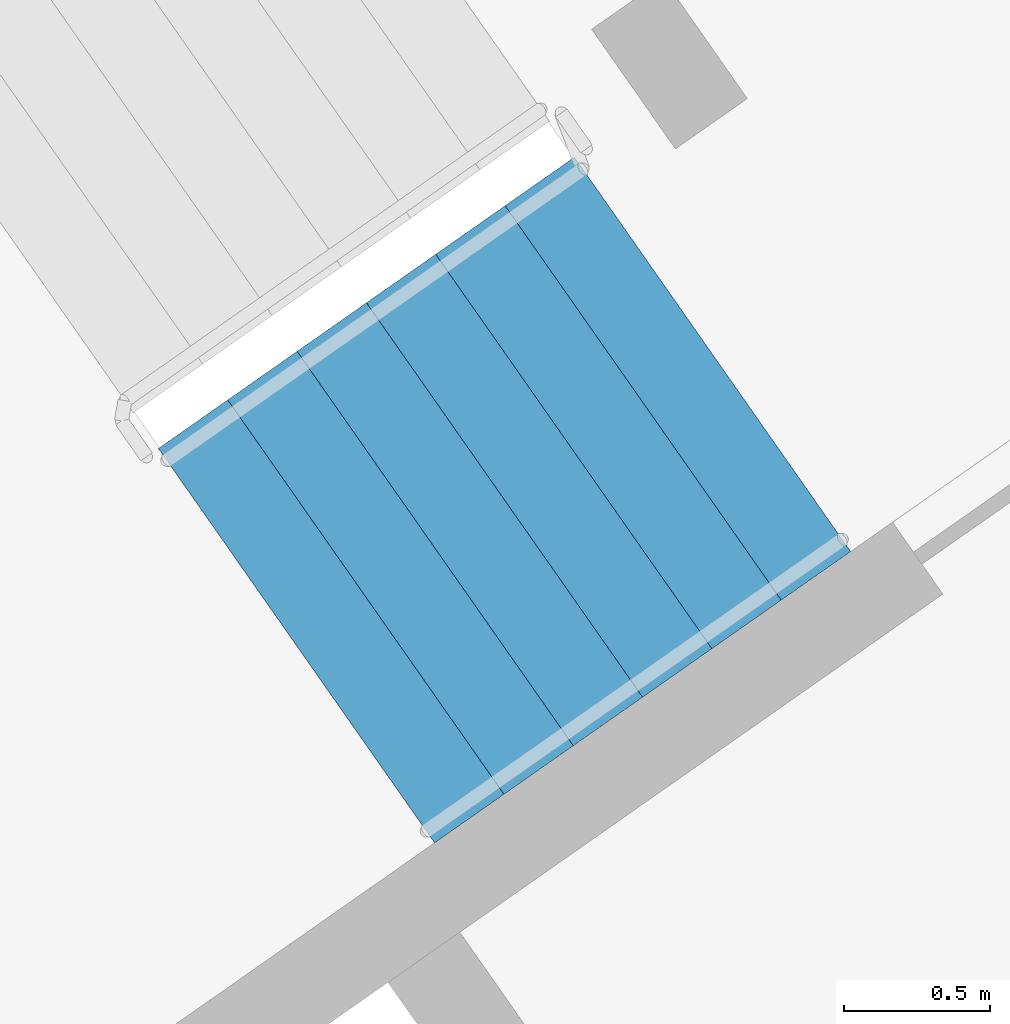
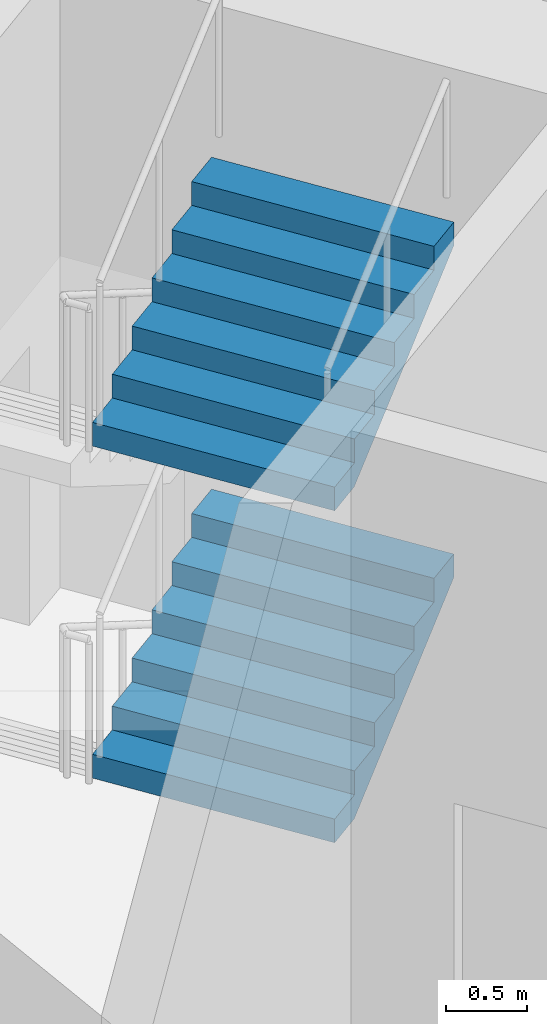
# One storey, part 21 of 25: 2 stair flights, 1 element without a shape of its own.
"""IFC4 building model written with IfcOpenShell, lengths in metres."""

from ifc_helpers import new_model, si_unit, direction, frame, origin, place, context, subcontext, project, spatial, faceted_brep, material, type_object, element, aggregate, save


model = new_model("IFC4")

# Units and contexts
model_context = context("Model", 3, precision=1e-05, world=origin(), true_north=direction((0.0, 1.0)))
body_context = subcontext(model_context, "Body", "Model", "MODEL_VIEW")
ifc_project = project(units=[si_unit("LENGTHUNIT", "METRE"), si_unit("AREAUNIT", "SQUARE_METRE"), si_unit("VOLUMEUNIT", "CUBIC_METRE"), si_unit("PLANEANGLEUNIT", "RADIAN"), si_unit("MASSUNIT", "GRAM", prefix="KILO")], contexts=[model_context])

# Site, building, storey
site_placement = place(None, origin())
site = spatial("IfcSite", under=ifc_project, at=site_placement, CompositionType="ELEMENT")
building_placement = place(site_placement, origin())
building = spatial("IfcBuilding", under=site, at=building_placement, Name="Qamariyya Broadcast Tower", CompositionType="ELEMENT")
storey_placement = place(building_placement, frame((0.0, 0.0, 144.300048828125)))
storey = spatial("IfcBuildingStorey", under=building, at=storey_placement, Name="L33", CompositionType="ELEMENT", Elevation=144.300048828125)

# Stair, stair flights
ifc_material = material(Name="Concrete C50/60", Category="concrete")
stair_type = type_object("IfcStairType", Name="Exit stair 28 risers of 179 mm", PredefinedType="HALF_TURN_STAIR", material=ifc_material)
stair_placement = place(storey_placement, origin())
stair = element("IfcStair", 1, at=stair_placement, inside=storey, type_object=stair_type, Name="L33 Stair E2", PredefinedType="HALF_TURN_STAIR")
stair_flight_type = type_object("IfcStairFlightType", Name="Exit stair flight 7 risers of 179 mm", PredefinedType="STRAIGHT", material=ifc_material)
stair_flight_1_placement = place(storey_placement, frame((40.165771484375, -50.15771484375, 1.25), z_axis=(0.0, 0.0, 1.0), x_axis=(0.819152044289, 0.573576436351, 0.0)))
stair_flight_1 = element("IfcStairFlight", 2, at=stair_flight_1_placement, type_object=stair_flight_type, Name="ST-E2 flight 2", NumberOfRisers=7, NumberOfTreads=6, PredefinedType="STRAIGHT", RiserHeight=0.178571429, TreadLength=0.29, context=body_context, shape_type="Brep", body=[
    faceted_brep([(0.0, 0.824951171875, 0.0), (0.0, 0.824951171875, 0.178466796875), (0.2900390625, 0.824951171875, 0.178466796875), (0.2900390625, 0.824951171875, 0.357177734375), (0.580078125, 0.824951171875, 0.357177734375), (0.580078125, 0.824951171875, 0.53564453125), (0.8701171875, 0.824951171875, 0.53564453125), (0.8701171875, 0.824951171875, 0.71435546875), (1.159912109375, 0.824951171875, 0.71435546875), (1.159912109375, 0.824951171875, 0.892822265625), (1.449951171875, 0.824951171875, 0.892822265625), (1.449951171875, 0.824951171875, 1.071533203125), (1.739990234375, 0.824951171875, 1.071533203125), (1.739990234375, 0.824951171875, 0.8955078125), (0.285888671875, 0.824951171875, 0.0), (0.285888671875, -0.824951171875, 0.0), (1.739990234375, -0.824951171875, 0.8955078125), (1.739990234375, -0.824951171875, 1.071533203125), (1.449951171875, -0.824951171875, 1.071533203125), (1.449951171875, -0.824951171875, 0.892822265625), (1.159912109375, -0.824951171875, 0.892822265625), (1.159912109375, -0.824951171875, 0.71435546875), (0.8701171875, -0.824951171875, 0.71435546875), (0.8701171875, -0.824951171875, 0.53564453125), (0.580078125, -0.824951171875, 0.53564453125), (0.580078125, -0.824951171875, 0.357177734375), (0.2900390625, -0.824951171875, 0.357177734375), (0.2900390625, -0.824951171875, 0.178466796875), (0.0, -0.824951171875, 0.178466796875), (0.0, -0.824951171875, 0.0), (0.0, 0.10009765625, 0.0), (0.0, 0.086669921875, 0.0), (0.0, 0.0732421875, 0.0), (0.0, 0.06005859375, 0.0), (0.0, 0.046630859375, 0.0), (0.0, 0.033447265625, 0.0), (0.0, 0.02001953125, 0.0), (0.0, 0.006591796875, 0.0), (0.0, -0.006591796875, 0.0), (0.0, -0.02001953125, 0.0), (0.0, -0.033447265625, 0.0), (0.0, -0.046630859375, 0.0), (0.0, -0.06005859375, 0.0), (0.0, -0.0732421875, 0.0), (0.0, -0.086669921875, 0.0), (0.0, -0.10009765625, 0.0), (0.0, -0.10009765625, 0.178466796875), (0.0, -0.086669921875, 0.178466796875), (0.0, -0.0732421875, 0.178466796875), (0.0, -0.06005859375, 0.178466796875), (0.0, -0.046630859375, 0.178466796875), (0.0, -0.033447265625, 0.178466796875), (0.0, -0.02001953125, 0.178466796875), (0.0, -0.006591796875, 0.178466796875), (0.0, 0.006591796875, 0.178466796875), (0.0, 0.02001953125, 0.178466796875), (0.0, 0.033447265625, 0.178466796875), (0.0, 0.046630859375, 0.178466796875), (0.0, 0.06005859375, 0.178466796875), (0.0, 0.0732421875, 0.178466796875), (0.0, 0.086669921875, 0.178466796875), (0.0, 0.10009765625, 0.178466796875), (0.2900390625, -0.10009765625, 0.178466796875), (0.2900390625, -0.086669921875, 0.178466796875), (0.2900390625, -0.0732421875, 0.178466796875), (0.2900390625, -0.06005859375, 0.178466796875), (0.2900390625, -0.046630859375, 0.178466796875), (0.2900390625, -0.033447265625, 0.178466796875), (0.2900390625, -0.02001953125, 0.178466796875), (0.2900390625, -0.006591796875, 0.178466796875), (0.2900390625, 0.006591796875, 0.178466796875), (0.2900390625, 0.02001953125, 0.178466796875), (0.2900390625, 0.033447265625, 0.178466796875), (0.2900390625, 0.046630859375, 0.178466796875), (0.2900390625, 0.06005859375, 0.178466796875), (0.2900390625, 0.0732421875, 0.178466796875), (0.2900390625, 0.086669921875, 0.178466796875), (0.2900390625, 0.10009765625, 0.178466796875), (0.2900390625, -0.10009765625, 0.357177734375), (0.2900390625, -0.086669921875, 0.357177734375), (0.2900390625, -0.0732421875, 0.357177734375), (0.2900390625, -0.06005859375, 0.357177734375), (0.2900390625, -0.046630859375, 0.357177734375), (0.2900390625, -0.033447265625, 0.357177734375), (0.2900390625, -0.02001953125, 0.357177734375), (0.2900390625, -0.006591796875, 0.357177734375), (0.2900390625, 0.006591796875, 0.357177734375), (0.2900390625, 0.02001953125, 0.357177734375), (0.2900390625, 0.033447265625, 0.357177734375), (0.2900390625, 0.046630859375, 0.357177734375), (0.2900390625, 0.06005859375, 0.357177734375), (0.2900390625, 0.0732421875, 0.357177734375), (0.2900390625, 0.086669921875, 0.357177734375), (0.2900390625, 0.10009765625, 0.357177734375), (0.580078125, -0.10009765625, 0.357177734375), (0.580078125, -0.086669921875, 0.357177734375), (0.580078125, -0.0732421875, 0.357177734375), (0.580078125, -0.06005859375, 0.357177734375), (0.580078125, -0.046630859375, 0.357177734375), (0.580078125, -0.033447265625, 0.357177734375), (0.580078125, -0.02001953125, 0.357177734375), (0.580078125, -0.006591796875, 0.357177734375), (0.580078125, 0.006591796875, 0.357177734375), (0.580078125, 0.02001953125, 0.357177734375), (0.580078125, 0.033447265625, 0.357177734375), (0.580078125, 0.046630859375, 0.357177734375), (0.580078125, 0.06005859375, 0.357177734375), (0.580078125, 0.0732421875, 0.357177734375), (0.580078125, 0.086669921875, 0.357177734375), (0.580078125, 0.10009765625, 0.357177734375), (0.580078125, -0.10009765625, 0.53564453125), (0.580078125, -0.086669921875, 0.53564453125), (0.580078125, -0.0732421875, 0.53564453125), (0.580078125, -0.06005859375, 0.53564453125), (0.580078125, -0.046630859375, 0.53564453125), (0.580078125, -0.033447265625, 0.53564453125), (0.580078125, -0.02001953125, 0.53564453125), (0.580078125, -0.006591796875, 0.53564453125), (0.580078125, 0.006591796875, 0.53564453125), (0.580078125, 0.02001953125, 0.53564453125), (0.580078125, 0.033447265625, 0.53564453125), (0.580078125, 0.046630859375, 0.53564453125), (0.580078125, 0.06005859375, 0.53564453125), (0.580078125, 0.0732421875, 0.53564453125), (0.580078125, 0.086669921875, 0.53564453125), (0.580078125, 0.10009765625, 0.53564453125), (0.8701171875, -0.10009765625, 0.53564453125), (0.8701171875, -0.086669921875, 0.53564453125), (0.8701171875, -0.0732421875, 0.53564453125), (0.8701171875, -0.06005859375, 0.53564453125), (0.8701171875, -0.046630859375, 0.53564453125), (0.8701171875, -0.033447265625, 0.53564453125), (0.8701171875, -0.02001953125, 0.53564453125), (0.8701171875, -0.006591796875, 0.53564453125), (0.8701171875, 0.006591796875, 0.53564453125), (0.8701171875, 0.02001953125, 0.53564453125), (0.8701171875, 0.033447265625, 0.53564453125), (0.8701171875, 0.046630859375, 0.53564453125), (0.8701171875, 0.06005859375, 0.53564453125), (0.8701171875, 0.0732421875, 0.53564453125), (0.8701171875, 0.086669921875, 0.53564453125), (0.8701171875, 0.10009765625, 0.53564453125), (0.8701171875, -0.10009765625, 0.71435546875), (0.8701171875, -0.086669921875, 0.71435546875), (0.8701171875, -0.0732421875, 0.71435546875), (0.8701171875, -0.06005859375, 0.71435546875), (0.8701171875, -0.046630859375, 0.71435546875), (0.8701171875, -0.033447265625, 0.71435546875), (0.8701171875, -0.02001953125, 0.71435546875), (0.8701171875, -0.006591796875, 0.71435546875), (0.8701171875, 0.006591796875, 0.71435546875), (0.8701171875, 0.02001953125, 0.71435546875), (0.8701171875, 0.033447265625, 0.71435546875), (0.8701171875, 0.046630859375, 0.71435546875), (0.8701171875, 0.06005859375, 0.71435546875), (0.8701171875, 0.0732421875, 0.71435546875), (0.8701171875, 0.086669921875, 0.71435546875), (0.8701171875, 0.10009765625, 0.71435546875), (1.159912109375, -0.10009765625, 0.71435546875), (1.159912109375, -0.086669921875, 0.71435546875), (1.159912109375, -0.0732421875, 0.71435546875), (1.159912109375, -0.06005859375, 0.71435546875), (1.159912109375, -0.046630859375, 0.71435546875), (1.159912109375, -0.033447265625, 0.71435546875), (1.159912109375, -0.02001953125, 0.71435546875), (1.159912109375, -0.006591796875, 0.71435546875), (1.159912109375, 0.006591796875, 0.71435546875), (1.159912109375, 0.02001953125, 0.71435546875), (1.159912109375, 0.033447265625, 0.71435546875), (1.159912109375, 0.046630859375, 0.71435546875), (1.159912109375, 0.06005859375, 0.71435546875), (1.159912109375, 0.0732421875, 0.71435546875), (1.159912109375, 0.086669921875, 0.71435546875), (1.159912109375, 0.10009765625, 0.71435546875), (1.159912109375, -0.10009765625, 0.892822265625), (1.159912109375, -0.086669921875, 0.892822265625), (1.159912109375, -0.0732421875, 0.892822265625), (1.159912109375, -0.06005859375, 0.892822265625), (1.159912109375, -0.046630859375, 0.892822265625), (1.159912109375, -0.033447265625, 0.892822265625), (1.159912109375, -0.02001953125, 0.892822265625), (1.159912109375, -0.006591796875, 0.892822265625), (1.159912109375, 0.006591796875, 0.892822265625), (1.159912109375, 0.02001953125, 0.892822265625), (1.159912109375, 0.033447265625, 0.892822265625), (1.159912109375, 0.046630859375, 0.892822265625), (1.159912109375, 0.06005859375, 0.892822265625), (1.159912109375, 0.0732421875, 0.892822265625), (1.159912109375, 0.086669921875, 0.892822265625), (1.159912109375, 0.10009765625, 0.892822265625), (1.449951171875, -0.10009765625, 0.892822265625), (1.449951171875, -0.086669921875, 0.892822265625), (1.449951171875, -0.0732421875, 0.892822265625), (1.449951171875, -0.06005859375, 0.892822265625), (1.449951171875, -0.046630859375, 0.892822265625), (1.449951171875, -0.033447265625, 0.892822265625), (1.449951171875, -0.02001953125, 0.892822265625), (1.449951171875, -0.006591796875, 0.892822265625), (1.449951171875, 0.006591796875, 0.892822265625), (1.449951171875, 0.02001953125, 0.892822265625), (1.449951171875, 0.033447265625, 0.892822265625), (1.449951171875, 0.046630859375, 0.892822265625), (1.449951171875, 0.06005859375, 0.892822265625), (1.449951171875, 0.0732421875, 0.892822265625), (1.449951171875, 0.086669921875, 0.892822265625), (1.449951171875, 0.10009765625, 0.892822265625), (1.449951171875, -0.10009765625, 1.071533203125), (1.449951171875, -0.086669921875, 1.071533203125), (1.449951171875, -0.0732421875, 1.071533203125), (1.449951171875, -0.06005859375, 1.071533203125), (1.449951171875, -0.046630859375, 1.071533203125), (1.449951171875, -0.033447265625, 1.071533203125), (1.449951171875, -0.02001953125, 1.071533203125), (1.449951171875, -0.006591796875, 1.071533203125), (1.449951171875, 0.006591796875, 1.071533203125), (1.449951171875, 0.02001953125, 1.071533203125), (1.449951171875, 0.033447265625, 1.071533203125), (1.449951171875, 0.046630859375, 1.071533203125), (1.449951171875, 0.06005859375, 1.071533203125), (1.449951171875, 0.0732421875, 1.071533203125), (1.449951171875, 0.086669921875, 1.071533203125), (1.449951171875, 0.10009765625, 1.071533203125), (1.739990234375, -0.10009765625, 1.071533203125), (1.739990234375, -0.086669921875, 1.071533203125), (1.739990234375, -0.0732421875, 1.071533203125), (1.739990234375, -0.06005859375, 1.071533203125), (1.739990234375, -0.046630859375, 1.071533203125), (1.739990234375, -0.033447265625, 1.071533203125), (1.739990234375, -0.02001953125, 1.071533203125), (1.739990234375, -0.006591796875, 1.071533203125), (1.739990234375, 0.006591796875, 1.071533203125), (1.739990234375, 0.02001953125, 1.071533203125), (1.739990234375, 0.033447265625, 1.071533203125), (1.739990234375, 0.046630859375, 1.071533203125), (1.739990234375, 0.06005859375, 1.071533203125), (1.739990234375, 0.0732421875, 1.071533203125), (1.739990234375, 0.086669921875, 1.071533203125), (1.739990234375, 0.10009765625, 1.071533203125), (1.739990234375, -0.10009765625, 0.8955078125), (1.739990234375, -0.086669921875, 0.8955078125), (1.739990234375, -0.0732421875, 0.8955078125), (1.739990234375, -0.06005859375, 0.8955078125), (1.739990234375, -0.046630859375, 0.8955078125), (1.739990234375, -0.033447265625, 0.8955078125), (1.739990234375, -0.02001953125, 0.8955078125), (1.739990234375, -0.006591796875, 0.8955078125), (1.739990234375, 0.006591796875, 0.8955078125), (1.739990234375, 0.02001953125, 0.8955078125), (1.739990234375, 0.033447265625, 0.8955078125), (1.739990234375, 0.046630859375, 0.8955078125), (1.739990234375, 0.06005859375, 0.8955078125), (1.739990234375, 0.0732421875, 0.8955078125), (1.739990234375, 0.086669921875, 0.8955078125), (1.739990234375, 0.10009765625, 0.8955078125), (0.285888671875, -0.10009765625, 0.0), (0.285888671875, -0.086669921875, 0.0), (0.285888671875, -0.0732421875, 0.0), (0.285888671875, -0.06005859375, 0.0), (0.285888671875, -0.046630859375, 0.0), (0.285888671875, -0.033447265625, 0.0), (0.285888671875, -0.02001953125, 0.0), (0.285888671875, -0.006591796875, 0.0), (0.285888671875, 0.006591796875, 0.0), (0.285888671875, 0.02001953125, 0.0), (0.285888671875, 0.033447265625, 0.0), (0.285888671875, 0.046630859375, 0.0), (0.285888671875, 0.06005859375, 0.0), (0.285888671875, 0.0732421875, 0.0), (0.285888671875, 0.086669921875, 0.0), (0.285888671875, 0.10009765625, 0.0)], [[[0, 1, 2, 3, 4, 5, 6, 7, 8, 9, 10, 11, 12, 13, 14]], [[15, 16, 17, 18, 19, 20, 21, 22, 23, 24, 25, 26, 27, 28, 29]], [[0, 30, 31, 32, 33, 34, 35, 36, 37, 38, 39, 40, 41, 42, 43, 44, 45, 29, 28, 46, 47, 48, 49, 50, 51, 52, 53, 54, 55, 56, 57, 58, 59, 60, 61, 1]], [[1, 61, 60, 59, 58, 57, 56, 55, 54, 53, 52, 51, 50, 49, 48, 47, 46, 28, 27, 62, 63, 64, 65, 66, 67, 68, 69, 70, 71, 72, 73, 74, 75, 76, 77, 2]], [[2, 77, 76, 75, 74, 73, 72, 71, 70, 69, 68, 67, 66, 65, 64, 63, 62, 27, 26, 78, 79, 80, 81, 82, 83, 84, 85, 86, 87, 88, 89, 90, 91, 92, 93, 3]], [[3, 93, 92, 91, 90, 89, 88, 87, 86, 85, 84, 83, 82, 81, 80, 79, 78, 26, 25, 94, 95, 96, 97, 98, 99, 100, 101, 102, 103, 104, 105, 106, 107, 108, 109, 4]], [[4, 109, 108, 107, 106, 105, 104, 103, 102, 101, 100, 99, 98, 97, 96, 95, 94, 25, 24, 110, 111, 112, 113, 114, 115, 116, 117, 118, 119, 120, 121, 122, 123, 124, 125, 5]], [[5, 125, 124, 123, 122, 121, 120, 119, 118, 117, 116, 115, 114, 113, 112, 111, 110, 24, 23, 126, 127, 128, 129, 130, 131, 132, 133, 134, 135, 136, 137, 138, 139, 140, 141, 6]], [[6, 141, 140, 139, 138, 137, 136, 135, 134, 133, 132, 131, 130, 129, 128, 127, 126, 23, 22, 142, 143, 144, 145, 146, 147, 148, 149, 150, 151, 152, 153, 154, 155, 156, 157, 7]], [[7, 157, 156, 155, 154, 153, 152, 151, 150, 149, 148, 147, 146, 145, 144, 143, 142, 22, 21, 158, 159, 160, 161, 162, 163, 164, 165, 166, 167, 168, 169, 170, 171, 172, 173, 8]], [[8, 173, 172, 171, 170, 169, 168, 167, 166, 165, 164, 163, 162, 161, 160, 159, 158, 21, 20, 174, 175, 176, 177, 178, 179, 180, 181, 182, 183, 184, 185, 186, 187, 188, 189, 9]], [[9, 189, 188, 187, 186, 185, 184, 183, 182, 181, 180, 179, 178, 177, 176, 175, 174, 20, 19, 190, 191, 192, 193, 194, 195, 196, 197, 198, 199, 200, 201, 202, 203, 204, 205, 10]], [[10, 205, 204, 203, 202, 201, 200, 199, 198, 197, 196, 195, 194, 193, 192, 191, 190, 19, 18, 206, 207, 208, 209, 210, 211, 212, 213, 214, 215, 216, 217, 218, 219, 220, 221, 11]], [[11, 221, 220, 219, 218, 217, 216, 215, 214, 213, 212, 211, 210, 209, 208, 207, 206, 18, 17, 222, 223, 224, 225, 226, 227, 228, 229, 230, 231, 232, 233, 234, 235, 236, 237, 12]], [[12, 237, 236, 235, 234, 233, 232, 231, 230, 229, 228, 227, 226, 225, 224, 223, 222, 17, 16, 238, 239, 240, 241, 242, 243, 244, 245, 246, 247, 248, 249, 250, 251, 252, 253, 13]], [[13, 253, 252, 251, 250, 249, 248, 247, 246, 245, 244, 243, 242, 241, 240, 239, 238, 16, 15, 254, 255, 256, 257, 258, 259, 260, 261, 262, 263, 264, 265, 266, 267, 268, 269, 14]], [[14, 269, 268, 267, 266, 265, 264, 263, 262, 261, 260, 259, 258, 257, 256, 255, 254, 15, 29, 45, 44, 43, 42, 41, 40, 39, 38, 37, 36, 35, 34, 33, 32, 31, 30, 0]]]),
])
stair_flight_2_placement = place(storey_placement, frame((40.165771484375, -50.15771484375, 3.75), z_axis=(0.0, 0.0, 1.0), x_axis=(0.819152044289, 0.573576436351, 0.0)))
stair_flight_2 = element("IfcStairFlight", 3, at=stair_flight_2_placement, type_object=stair_flight_type, Name="ST-E2 flight 4", NumberOfRisers=7, NumberOfTreads=6, PredefinedType="STRAIGHT", RiserHeight=0.178571429, TreadLength=0.29, context=body_context, shape_type="Brep", body=[
    faceted_brep([(0.0, 0.824951171875, 0.0), (0.0, 0.824951171875, 0.178466796875), (0.2900390625, 0.824951171875, 0.178466796875), (0.2900390625, 0.824951171875, 0.357177734375), (0.580078125, 0.824951171875, 0.357177734375), (0.580078125, 0.824951171875, 0.53564453125), (0.8701171875, 0.824951171875, 0.53564453125), (0.8701171875, 0.824951171875, 0.71435546875), (1.159912109375, 0.824951171875, 0.71435546875), (1.159912109375, 0.824951171875, 0.892822265625), (1.449951171875, 0.824951171875, 0.892822265625), (1.449951171875, 0.824951171875, 1.071533203125), (1.739990234375, 0.824951171875, 1.071533203125), (1.739990234375, 0.824951171875, 0.8955078125), (0.285888671875, 0.824951171875, 0.0), (0.285888671875, -0.824951171875, 0.0), (1.739990234375, -0.824951171875, 0.8955078125), (1.739990234375, -0.824951171875, 1.071533203125), (1.449951171875, -0.824951171875, 1.071533203125), (1.449951171875, -0.824951171875, 0.892822265625), (1.159912109375, -0.824951171875, 0.892822265625), (1.159912109375, -0.824951171875, 0.71435546875), (0.8701171875, -0.824951171875, 0.71435546875), (0.8701171875, -0.824951171875, 0.53564453125), (0.580078125, -0.824951171875, 0.53564453125), (0.580078125, -0.824951171875, 0.357177734375), (0.2900390625, -0.824951171875, 0.357177734375), (0.2900390625, -0.824951171875, 0.178466796875), (0.0, -0.824951171875, 0.178466796875), (0.0, -0.824951171875, 0.0), (0.0, 0.10009765625, 0.0), (0.0, 0.086669921875, 0.0), (0.0, 0.0732421875, 0.0), (0.0, 0.06005859375, 0.0), (0.0, 0.046630859375, 0.0), (0.0, 0.033447265625, 0.0), (0.0, 0.02001953125, 0.0), (0.0, 0.006591796875, 0.0), (0.0, -0.006591796875, 0.0), (0.0, -0.02001953125, 0.0), (0.0, -0.033447265625, 0.0), (0.0, -0.046630859375, 0.0), (0.0, -0.06005859375, 0.0), (0.0, -0.0732421875, 0.0), (0.0, -0.086669921875, 0.0), (0.0, -0.10009765625, 0.0), (0.0, -0.10009765625, 0.178466796875), (0.0, -0.086669921875, 0.178466796875), (0.0, -0.0732421875, 0.178466796875), (0.0, -0.06005859375, 0.178466796875), (0.0, -0.046630859375, 0.178466796875), (0.0, -0.033447265625, 0.178466796875), (0.0, -0.02001953125, 0.178466796875), (0.0, -0.006591796875, 0.178466796875), (0.0, 0.006591796875, 0.178466796875), (0.0, 0.02001953125, 0.178466796875), (0.0, 0.033447265625, 0.178466796875), (0.0, 0.046630859375, 0.178466796875), (0.0, 0.06005859375, 0.178466796875), (0.0, 0.0732421875, 0.178466796875), (0.0, 0.086669921875, 0.178466796875), (0.0, 0.10009765625, 0.178466796875), (0.2900390625, -0.10009765625, 0.178466796875), (0.2900390625, -0.086669921875, 0.178466796875), (0.2900390625, -0.0732421875, 0.178466796875), (0.2900390625, -0.06005859375, 0.178466796875), (0.2900390625, -0.046630859375, 0.178466796875), (0.2900390625, -0.033447265625, 0.178466796875), (0.2900390625, -0.02001953125, 0.178466796875), (0.2900390625, -0.006591796875, 0.178466796875), (0.2900390625, 0.006591796875, 0.178466796875), (0.2900390625, 0.02001953125, 0.178466796875), (0.2900390625, 0.033447265625, 0.178466796875), (0.2900390625, 0.046630859375, 0.178466796875), (0.2900390625, 0.06005859375, 0.178466796875), (0.2900390625, 0.0732421875, 0.178466796875), (0.2900390625, 0.086669921875, 0.178466796875), (0.2900390625, 0.10009765625, 0.178466796875), (0.2900390625, -0.10009765625, 0.357177734375), (0.2900390625, -0.086669921875, 0.357177734375), (0.2900390625, -0.0732421875, 0.357177734375), (0.2900390625, -0.06005859375, 0.357177734375), (0.2900390625, -0.046630859375, 0.357177734375), (0.2900390625, -0.033447265625, 0.357177734375), (0.2900390625, -0.02001953125, 0.357177734375), (0.2900390625, -0.006591796875, 0.357177734375), (0.2900390625, 0.006591796875, 0.357177734375), (0.2900390625, 0.02001953125, 0.357177734375), (0.2900390625, 0.033447265625, 0.357177734375), (0.2900390625, 0.046630859375, 0.357177734375), (0.2900390625, 0.06005859375, 0.357177734375), (0.2900390625, 0.0732421875, 0.357177734375), (0.2900390625, 0.086669921875, 0.357177734375), (0.2900390625, 0.10009765625, 0.357177734375), (0.580078125, -0.10009765625, 0.357177734375), (0.580078125, -0.086669921875, 0.357177734375), (0.580078125, -0.0732421875, 0.357177734375), (0.580078125, -0.06005859375, 0.357177734375), (0.580078125, -0.046630859375, 0.357177734375), (0.580078125, -0.033447265625, 0.357177734375), (0.580078125, -0.02001953125, 0.357177734375), (0.580078125, -0.006591796875, 0.357177734375), (0.580078125, 0.006591796875, 0.357177734375), (0.580078125, 0.02001953125, 0.357177734375), (0.580078125, 0.033447265625, 0.357177734375), (0.580078125, 0.046630859375, 0.357177734375), (0.580078125, 0.06005859375, 0.357177734375), (0.580078125, 0.0732421875, 0.357177734375), (0.580078125, 0.086669921875, 0.357177734375), (0.580078125, 0.10009765625, 0.357177734375), (0.580078125, -0.10009765625, 0.53564453125), (0.580078125, -0.086669921875, 0.53564453125), (0.580078125, -0.0732421875, 0.53564453125), (0.580078125, -0.06005859375, 0.53564453125), (0.580078125, -0.046630859375, 0.53564453125), (0.580078125, -0.033447265625, 0.53564453125), (0.580078125, -0.02001953125, 0.53564453125), (0.580078125, -0.006591796875, 0.53564453125), (0.580078125, 0.006591796875, 0.53564453125), (0.580078125, 0.02001953125, 0.53564453125), (0.580078125, 0.033447265625, 0.53564453125), (0.580078125, 0.046630859375, 0.53564453125), (0.580078125, 0.06005859375, 0.53564453125), (0.580078125, 0.0732421875, 0.53564453125), (0.580078125, 0.086669921875, 0.53564453125), (0.580078125, 0.10009765625, 0.53564453125), (0.8701171875, -0.10009765625, 0.53564453125), (0.8701171875, -0.086669921875, 0.53564453125), (0.8701171875, -0.0732421875, 0.53564453125), (0.8701171875, -0.06005859375, 0.53564453125), (0.8701171875, -0.046630859375, 0.53564453125), (0.8701171875, -0.033447265625, 0.53564453125), (0.8701171875, -0.02001953125, 0.53564453125), (0.8701171875, -0.006591796875, 0.53564453125), (0.8701171875, 0.006591796875, 0.53564453125), (0.8701171875, 0.02001953125, 0.53564453125), (0.8701171875, 0.033447265625, 0.53564453125), (0.8701171875, 0.046630859375, 0.53564453125), (0.8701171875, 0.06005859375, 0.53564453125), (0.8701171875, 0.0732421875, 0.53564453125), (0.8701171875, 0.086669921875, 0.53564453125), (0.8701171875, 0.10009765625, 0.53564453125), (0.8701171875, -0.10009765625, 0.71435546875), (0.8701171875, -0.086669921875, 0.71435546875), (0.8701171875, -0.0732421875, 0.71435546875), (0.8701171875, -0.06005859375, 0.71435546875), (0.8701171875, -0.046630859375, 0.71435546875), (0.8701171875, -0.033447265625, 0.71435546875), (0.8701171875, -0.02001953125, 0.71435546875), (0.8701171875, -0.006591796875, 0.71435546875), (0.8701171875, 0.006591796875, 0.71435546875), (0.8701171875, 0.02001953125, 0.71435546875), (0.8701171875, 0.033447265625, 0.71435546875), (0.8701171875, 0.046630859375, 0.71435546875), (0.8701171875, 0.06005859375, 0.71435546875), (0.8701171875, 0.0732421875, 0.71435546875), (0.8701171875, 0.086669921875, 0.71435546875), (0.8701171875, 0.10009765625, 0.71435546875), (1.159912109375, -0.10009765625, 0.71435546875), (1.159912109375, -0.086669921875, 0.71435546875), (1.159912109375, -0.0732421875, 0.71435546875), (1.159912109375, -0.06005859375, 0.71435546875), (1.159912109375, -0.046630859375, 0.71435546875), (1.159912109375, -0.033447265625, 0.71435546875), (1.159912109375, -0.02001953125, 0.71435546875), (1.159912109375, -0.006591796875, 0.71435546875), (1.159912109375, 0.006591796875, 0.71435546875), (1.159912109375, 0.02001953125, 0.71435546875), (1.159912109375, 0.033447265625, 0.71435546875), (1.159912109375, 0.046630859375, 0.71435546875), (1.159912109375, 0.06005859375, 0.71435546875), (1.159912109375, 0.0732421875, 0.71435546875), (1.159912109375, 0.086669921875, 0.71435546875), (1.159912109375, 0.10009765625, 0.71435546875), (1.159912109375, -0.10009765625, 0.892822265625), (1.159912109375, -0.086669921875, 0.892822265625), (1.159912109375, -0.0732421875, 0.892822265625), (1.159912109375, -0.06005859375, 0.892822265625), (1.159912109375, -0.046630859375, 0.892822265625), (1.159912109375, -0.033447265625, 0.892822265625), (1.159912109375, -0.02001953125, 0.892822265625), (1.159912109375, -0.006591796875, 0.892822265625), (1.159912109375, 0.006591796875, 0.892822265625), (1.159912109375, 0.02001953125, 0.892822265625), (1.159912109375, 0.033447265625, 0.892822265625), (1.159912109375, 0.046630859375, 0.892822265625), (1.159912109375, 0.06005859375, 0.892822265625), (1.159912109375, 0.0732421875, 0.892822265625), (1.159912109375, 0.086669921875, 0.892822265625), (1.159912109375, 0.10009765625, 0.892822265625), (1.449951171875, -0.10009765625, 0.892822265625), (1.449951171875, -0.086669921875, 0.892822265625), (1.449951171875, -0.0732421875, 0.892822265625), (1.449951171875, -0.06005859375, 0.892822265625), (1.449951171875, -0.046630859375, 0.892822265625), (1.449951171875, -0.033447265625, 0.892822265625), (1.449951171875, -0.02001953125, 0.892822265625), (1.449951171875, -0.006591796875, 0.892822265625), (1.449951171875, 0.006591796875, 0.892822265625), (1.449951171875, 0.02001953125, 0.892822265625), (1.449951171875, 0.033447265625, 0.892822265625), (1.449951171875, 0.046630859375, 0.892822265625), (1.449951171875, 0.06005859375, 0.892822265625), (1.449951171875, 0.0732421875, 0.892822265625), (1.449951171875, 0.086669921875, 0.892822265625), (1.449951171875, 0.10009765625, 0.892822265625), (1.449951171875, -0.10009765625, 1.071533203125), (1.449951171875, -0.086669921875, 1.071533203125), (1.449951171875, -0.0732421875, 1.071533203125), (1.449951171875, -0.06005859375, 1.071533203125), (1.449951171875, -0.046630859375, 1.071533203125), (1.449951171875, -0.033447265625, 1.071533203125), (1.449951171875, -0.02001953125, 1.071533203125), (1.449951171875, -0.006591796875, 1.071533203125), (1.449951171875, 0.006591796875, 1.071533203125), (1.449951171875, 0.02001953125, 1.071533203125), (1.449951171875, 0.033447265625, 1.071533203125), (1.449951171875, 0.046630859375, 1.071533203125), (1.449951171875, 0.06005859375, 1.071533203125), (1.449951171875, 0.0732421875, 1.071533203125), (1.449951171875, 0.086669921875, 1.071533203125), (1.449951171875, 0.10009765625, 1.071533203125), (1.739990234375, -0.10009765625, 1.071533203125), (1.739990234375, -0.086669921875, 1.071533203125), (1.739990234375, -0.0732421875, 1.071533203125), (1.739990234375, -0.06005859375, 1.071533203125), (1.739990234375, -0.046630859375, 1.071533203125), (1.739990234375, -0.033447265625, 1.071533203125), (1.739990234375, -0.02001953125, 1.071533203125), (1.739990234375, -0.006591796875, 1.071533203125), (1.739990234375, 0.006591796875, 1.071533203125), (1.739990234375, 0.02001953125, 1.071533203125), (1.739990234375, 0.033447265625, 1.071533203125), (1.739990234375, 0.046630859375, 1.071533203125), (1.739990234375, 0.06005859375, 1.071533203125), (1.739990234375, 0.0732421875, 1.071533203125), (1.739990234375, 0.086669921875, 1.071533203125), (1.739990234375, 0.10009765625, 1.071533203125), (1.739990234375, -0.10009765625, 0.8955078125), (1.739990234375, -0.086669921875, 0.8955078125), (1.739990234375, -0.0732421875, 0.8955078125), (1.739990234375, -0.06005859375, 0.8955078125), (1.739990234375, -0.046630859375, 0.8955078125), (1.739990234375, -0.033447265625, 0.8955078125), (1.739990234375, -0.02001953125, 0.8955078125), (1.739990234375, -0.006591796875, 0.8955078125), (1.739990234375, 0.006591796875, 0.8955078125), (1.739990234375, 0.02001953125, 0.8955078125), (1.739990234375, 0.033447265625, 0.8955078125), (1.739990234375, 0.046630859375, 0.8955078125), (1.739990234375, 0.06005859375, 0.8955078125), (1.739990234375, 0.0732421875, 0.8955078125), (1.739990234375, 0.086669921875, 0.8955078125), (1.739990234375, 0.10009765625, 0.8955078125), (0.285888671875, -0.10009765625, 0.0), (0.285888671875, -0.086669921875, 0.0), (0.285888671875, -0.0732421875, 0.0), (0.285888671875, -0.06005859375, 0.0), (0.285888671875, -0.046630859375, 0.0), (0.285888671875, -0.033447265625, 0.0), (0.285888671875, -0.02001953125, 0.0), (0.285888671875, -0.006591796875, 0.0), (0.285888671875, 0.006591796875, 0.0), (0.285888671875, 0.02001953125, 0.0), (0.285888671875, 0.033447265625, 0.0), (0.285888671875, 0.046630859375, 0.0), (0.285888671875, 0.06005859375, 0.0), (0.285888671875, 0.0732421875, 0.0), (0.285888671875, 0.086669921875, 0.0), (0.285888671875, 0.10009765625, 0.0)], [[[0, 1, 2, 3, 4, 5, 6, 7, 8, 9, 10, 11, 12, 13, 14]], [[15, 16, 17, 18, 19, 20, 21, 22, 23, 24, 25, 26, 27, 28, 29]], [[0, 30, 31, 32, 33, 34, 35, 36, 37, 38, 39, 40, 41, 42, 43, 44, 45, 29, 28, 46, 47, 48, 49, 50, 51, 52, 53, 54, 55, 56, 57, 58, 59, 60, 61, 1]], [[1, 61, 60, 59, 58, 57, 56, 55, 54, 53, 52, 51, 50, 49, 48, 47, 46, 28, 27, 62, 63, 64, 65, 66, 67, 68, 69, 70, 71, 72, 73, 74, 75, 76, 77, 2]], [[2, 77, 76, 75, 74, 73, 72, 71, 70, 69, 68, 67, 66, 65, 64, 63, 62, 27, 26, 78, 79, 80, 81, 82, 83, 84, 85, 86, 87, 88, 89, 90, 91, 92, 93, 3]], [[3, 93, 92, 91, 90, 89, 88, 87, 86, 85, 84, 83, 82, 81, 80, 79, 78, 26, 25, 94, 95, 96, 97, 98, 99, 100, 101, 102, 103, 104, 105, 106, 107, 108, 109, 4]], [[4, 109, 108, 107, 106, 105, 104, 103, 102, 101, 100, 99, 98, 97, 96, 95, 94, 25, 24, 110, 111, 112, 113, 114, 115, 116, 117, 118, 119, 120, 121, 122, 123, 124, 125, 5]], [[5, 125, 124, 123, 122, 121, 120, 119, 118, 117, 116, 115, 114, 113, 112, 111, 110, 24, 23, 126, 127, 128, 129, 130, 131, 132, 133, 134, 135, 136, 137, 138, 139, 140, 141, 6]], [[6, 141, 140, 139, 138, 137, 136, 135, 134, 133, 132, 131, 130, 129, 128, 127, 126, 23, 22, 142, 143, 144, 145, 146, 147, 148, 149, 150, 151, 152, 153, 154, 155, 156, 157, 7]], [[7, 157, 156, 155, 154, 153, 152, 151, 150, 149, 148, 147, 146, 145, 144, 143, 142, 22, 21, 158, 159, 160, 161, 162, 163, 164, 165, 166, 167, 168, 169, 170, 171, 172, 173, 8]], [[8, 173, 172, 171, 170, 169, 168, 167, 166, 165, 164, 163, 162, 161, 160, 159, 158, 21, 20, 174, 175, 176, 177, 178, 179, 180, 181, 182, 183, 184, 185, 186, 187, 188, 189, 9]], [[9, 189, 188, 187, 186, 185, 184, 183, 182, 181, 180, 179, 178, 177, 176, 175, 174, 20, 19, 190, 191, 192, 193, 194, 195, 196, 197, 198, 199, 200, 201, 202, 203, 204, 205, 10]], [[10, 205, 204, 203, 202, 201, 200, 199, 198, 197, 196, 195, 194, 193, 192, 191, 190, 19, 18, 206, 207, 208, 209, 210, 211, 212, 213, 214, 215, 216, 217, 218, 219, 220, 221, 11]], [[11, 221, 220, 219, 218, 217, 216, 215, 214, 213, 212, 211, 210, 209, 208, 207, 206, 18, 17, 222, 223, 224, 225, 226, 227, 228, 229, 230, 231, 232, 233, 234, 235, 236, 237, 12]], [[12, 237, 236, 235, 234, 233, 232, 231, 230, 229, 228, 227, 226, 225, 224, 223, 222, 17, 16, 238, 239, 240, 241, 242, 243, 244, 245, 246, 247, 248, 249, 250, 251, 252, 253, 13]], [[13, 253, 252, 251, 250, 249, 248, 247, 246, 245, 244, 243, 242, 241, 240, 239, 238, 16, 15, 254, 255, 256, 257, 258, 259, 260, 261, 262, 263, 264, 265, 266, 267, 268, 269, 14]], [[14, 269, 268, 267, 266, 265, 264, 263, 262, 261, 260, 259, 258, 257, 256, 255, 254, 15, 29, 45, 44, 43, 42, 41, 40, 39, 38, 37, 36, 35, 34, 33, 32, 31, 30, 0]]]),
])
aggregate(stair, [stair_flight_1, stair_flight_2])

save(model, "model.ifc")
